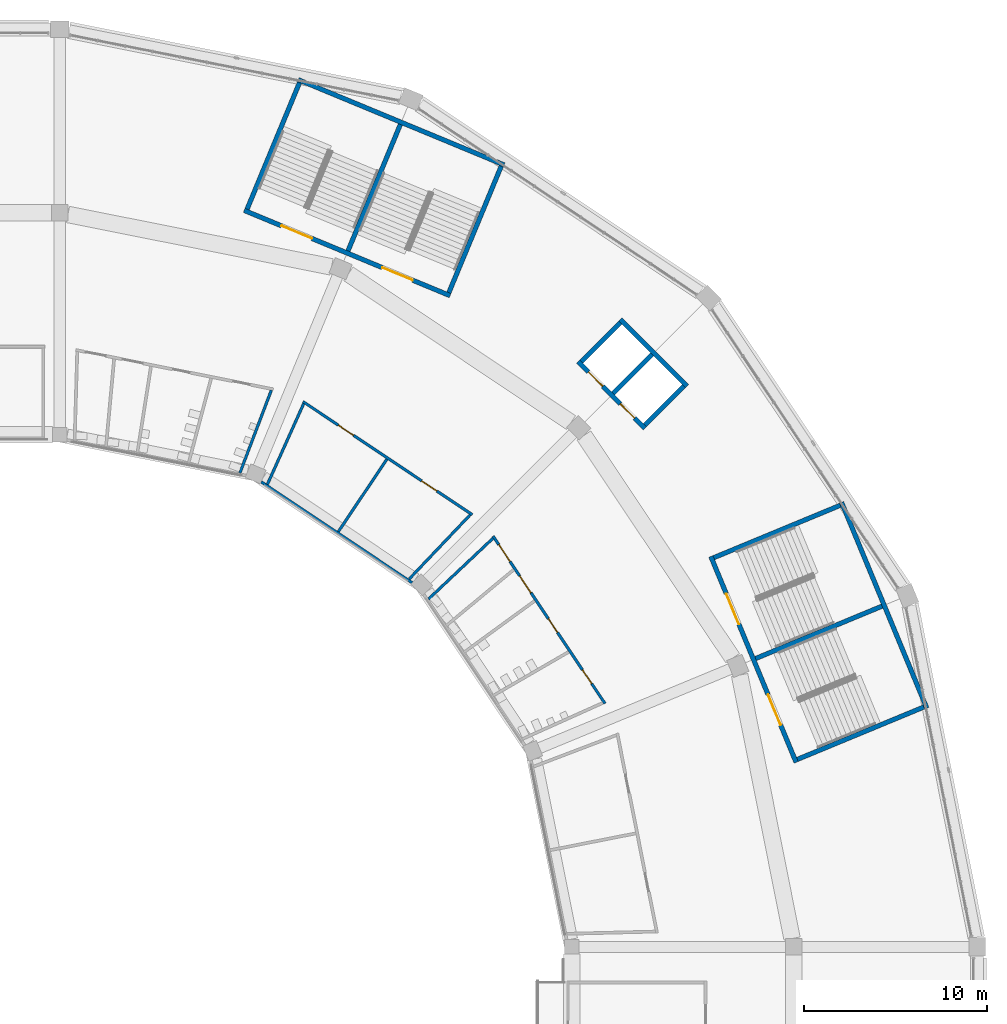
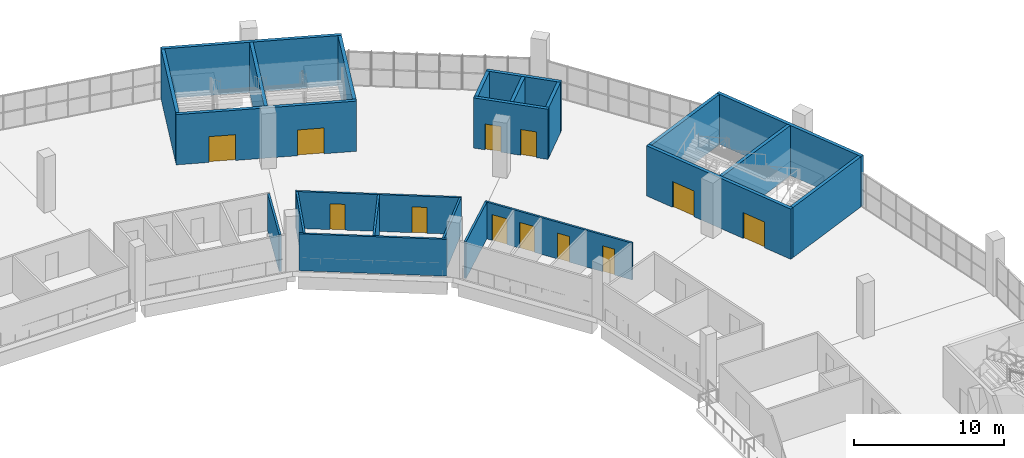
# One storey, part 87 of 199: 23 walls, 12 doors, 12 openings.
"""IFC4 building model written with IfcOpenShell, lengths in metres."""

from ifc_helpers import new_model, si_unit, direction, frame, frame_2d, origin, place, context, subcontext, project, spatial, rectangle, extrude, material, layer, layer_set, type_object, element, fill, save


model = new_model("IFC4")

# Units and contexts
model_context = context("Model", 3, precision=1e-05, world=origin(), true_north=direction((0.0, 1.0)))
body_context = subcontext(model_context, "Body", "Model", "MODEL_VIEW")
ifc_project = project(units=[si_unit("LENGTHUNIT", "METRE"), si_unit("AREAUNIT", "SQUARE_METRE"), si_unit("VOLUMEUNIT", "CUBIC_METRE"), si_unit("PLANEANGLEUNIT", "RADIAN"), si_unit("MASSUNIT", "GRAM", prefix="KILO")], contexts=[model_context])

# Site, building, storey
site_placement = place(None, origin())
site = spatial("IfcSite", under=ifc_project, at=site_placement, CompositionType="ELEMENT")
building_placement = place(site_placement, origin())
building = spatial("IfcBuilding", under=site, at=building_placement, Name="Ogive Plaza Stadium", CompositionType="ELEMENT")
storey_placement = place(building_placement, frame((0.0, 0.0, 9.0)))
storey = spatial("IfcBuildingStorey", under=building, at=storey_placement, Name="L02", CompositionType="ELEMENT", Elevation=9.0)

# Wall
ifc_material_1 = material(Name="Masonry blockwork", Category="masonry")
ifc_layer_1 = layer(ifc_material_1, 0.14990234375)
ifc_layer_set_1 = layer_set([ifc_layer_1], Name="Blockwork wall 150")
wall_type_1 = type_object("IfcWallType", Name="Blockwork wall 150", PredefinedType="SOLIDWALL", material=ifc_layer_set_1)
wall_1_placement = place(storey_placement, frame((44.98193359375, 77.836669921875, 0.0), z_axis=(0.0, 0.0, 1.0), x_axis=(0.831461186136, -0.555582843463, 0.0)))
element("IfcWall", 1, at=wall_1_placement, inside=storey, type_object=wall_type_1, Name="Wall L02 B38", PredefinedType="SOLIDWALL", context=body_context, shape_type="SweptSolid", body=[
    extrude(rectangle(XDim=9.890380859375, YDim=0.14990234375, at=frame_2d((4.9453125, 0.0))), origin(), (0.0, 0.0, 1.0), 3.0),
])

# Wall, openings, doors
wall_2_placement = place(storey_placement, frame((47.256591796875, 82.214599609375, 0.0), z_axis=(0.0, 0.0, 1.0), x_axis=(0.831471162003, -0.555567913722, 0.0)))
wall_2 = element("IfcWall", 2, at=wall_2_placement, inside=storey, type_object=wall_type_1, Name="Wall L02 B38", PredefinedType="SOLIDWALL", context=body_context, shape_type="SweptSolid", body=[
    extrude(rectangle(XDim=11.09912109375, YDim=0.14990234375, at=frame_2d((5.549560546875, 0.0))), origin(), (0.0, 0.0, 1.0), 3.0),
])
opening_1_placement = place(wall_2_placement, frame((2.3154296875, 0.0, 0.0)))
opening_1 = element("IfcOpeningElement", 3, at=opening_1_placement, cuts=wall_2, Name="Opening D0741", PredefinedType="OPENING", context=body_context, shape_type="SweptSolid", body=[
    extrude(rectangle(XDim=1.0, YDim=2.10009765625, at=frame_2d((0.5, 1.050048828125))), frame((0.0, 0.074951171875, 0.0), z_axis=(0.0, -1.0, 0.0), x_axis=(1.0, 0.0, 0.0)), (0.0, 0.0, 1.0), 0.14990234375),
])
opening_2_placement = place(wall_2_placement, frame((7.78369140625, 0.0, 0.0)))
opening_2 = element("IfcOpeningElement", 4, at=opening_2_placement, cuts=wall_2, Name="Opening D0742", PredefinedType="OPENING", context=body_context, shape_type="SweptSolid", body=[
    extrude(rectangle(XDim=1.0, YDim=2.10009765625, at=frame_2d((0.5, 1.050048828125))), frame((0.0, 0.074951171875, 0.0), z_axis=(0.0, -1.0, 0.0), x_axis=(1.0, 0.0, 0.0)), (0.0, 0.0, 1.0), 0.14990234375),
])
ifc_material_2 = material(Name="Steel ASTM A572 Grade 50", Category="steel")
door_type_1 = type_object("IfcDoorType", Name="Fire door FD60 1000 x 2100", OperationType="SINGLE_SWING_LEFT", PredefinedType="DOOR", material=ifc_material_2)
door_1_placement = place(opening_1_placement, origin())
door_1 = element("IfcDoor", 5, at=door_1_placement, inside=storey, type_object=door_type_1, Name="Hospitality Pantry B38 door", OperationType="SINGLE_SWING_LEFT", OverallHeight=2.10009765625, OverallWidth=1.0, PredefinedType="DOOR", context=body_context, shape_type="SweptSolid", body=[
    extrude(rectangle(XDim=1.0, YDim=2.10009765625, at=frame_2d((0.5, 1.050048828125))), frame((0.0, 0.02490234375, 0.0), z_axis=(0.0, -1.0, 0.0), x_axis=(1.0, 0.0, 0.0)), (0.0, 0.0, 1.0), 0.050048828125),
])
fill(opening_1, door_1)
door_2_placement = place(opening_2_placement, origin())
door_2 = element("IfcDoor", 6, at=door_2_placement, inside=storey, type_object=door_type_1, Name="Hospitality Store B38 door", OperationType="SINGLE_SWING_RIGHT", OverallHeight=2.10009765625, OverallWidth=1.0, PredefinedType="DOOR", context=body_context, shape_type="SweptSolid", body=[
    extrude(rectangle(XDim=1.0, YDim=2.10009765625, at=frame_2d((0.5, 1.050048828125))), frame((0.0, 0.02490234375, 0.0), z_axis=(0.0, -1.0, 0.0), x_axis=(1.0, 0.0, 0.0)), (0.0, 0.0, 1.0), 0.050048828125),
])
fill(opening_2, door_2)

# Walls
wall_3_placement = place(storey_placement, frame((45.3173828125, 77.700927734375, 0.0), z_axis=(0.0, 0.0, 1.0), x_axis=(0.409657452305, 0.912239426779, 0.0)))
element("IfcWall", 7, at=wall_3_placement, inside=storey, type_object=wall_type_1, Name="Wall L02 B38", PredefinedType="SOLIDWALL", context=body_context, shape_type="SweptSolid", body=[
    extrude(rectangle(XDim=4.82373046875, YDim=0.14990234375, at=frame_2d((2.411865234375, 0.0))), origin(), (0.0, 0.0, 1.0), 3.0),
])
wall_4_placement = place(storey_placement, frame((49.17919921875, 75.120361328125, 0.0), z_axis=(0.0, 0.0, 1.0), x_axis=(0.557220399255, 0.830364634756, 0.0)))
element("IfcWall", 8, at=wall_4_placement, inside=storey, type_object=wall_type_1, Name="Wall L02 B38", PredefinedType="SOLIDWALL", context=body_context, shape_type="SweptSolid", body=[
    extrude(rectangle(XDim=4.7568359375, YDim=0.14990234375, at=frame_2d((2.37841796875, 0.0))), origin(), (0.0, 0.0, 1.0), 3.0),
])
wall_5_placement = place(storey_placement, frame((53.041259765625, 72.5400390625, 0.0), z_axis=(0.0, 0.0, 1.0), x_axis=(0.688819908774, 0.724932502566, 0.0)))
element("IfcWall", 9, at=wall_5_placement, inside=storey, type_object=wall_type_1, Name="Wall L02 B38", PredefinedType="SOLIDWALL", context=body_context, shape_type="SweptSolid", body=[
    extrude(rectangle(XDim=4.826904296875, YDim=0.14990234375, at=frame_2d((2.41357421875, 0.0))), origin(), (0.0, 0.0, 1.0), 3.0),
])

# Wall, openings, doors
ifc_material_3 = material(Name="Concrete C40/50", Category="concrete")
ifc_layer_2 = layer(ifc_material_3, 0.25)
ifc_layer_set_2 = layer_set([ifc_layer_2], Name="Concrete C40/50")
wall_type_2 = type_object("IfcWallType", Name="Core wall 250", PredefinedType="SHEAR", material=ifc_layer_set_2)
wall_6_placement = place(storey_placement, frame((55.27392578125, 87.98486328125, 0.0), z_axis=(0.0, 0.0, 1.0), x_axis=(-0.923877480578, 0.382688386133, 0.0)))
wall_6 = element("IfcWall", 10, at=wall_6_placement, inside=storey, type_object=wall_type_2, Name="Stair core R38 inner wall", PredefinedType="SHEAR", context=body_context, shape_type="SweptSolid", body=[
    extrude(rectangle(XDim=12.14990234375, YDim=0.25, at=frame_2d((6.074951171875, 0.0))), origin(), (0.0, 0.0, 1.0), 4.090087890625),
])
opening_3_placement = place(wall_6_placement, frame((2.199951171875, 0.0, 0.0)))
opening_3 = element("IfcOpeningElement", 11, at=opening_3_placement, cuts=wall_6, Name="Opening D0277", PredefinedType="OPENING", context=body_context, shape_type="SweptSolid", body=[
    extrude(rectangle(XDim=1.800048828125, YDim=2.10009765625, at=frame_2d((0.89990234375, 1.050048828125))), frame((0.0, 0.125, 0.0), z_axis=(0.0, -1.0, 0.0), x_axis=(1.0, 0.0, 0.0)), (0.0, 0.0, 1.0), 0.25),
])
opening_4_placement = place(wall_6_placement, frame((8.14990234375, 0.0, 0.0)))
opening_4 = element("IfcOpeningElement", 12, at=opening_4_placement, cuts=wall_6, Name="Opening D0278", PredefinedType="OPENING", context=body_context, shape_type="SweptSolid", body=[
    extrude(rectangle(XDim=1.800048828125, YDim=2.10009765625, at=frame_2d((0.89990234375, 1.050048828125))), frame((0.0, 0.125, 0.0), z_axis=(0.0, -1.0, 0.0), x_axis=(1.0, 0.0, 0.0)), (0.0, 0.0, 1.0), 0.25),
])
ifc_material_4 = material(Name="Steel ASTM A572 Grade 50", Category="steel")
door_type_2 = type_object("IfcDoorType", Name="Fire door FD90 pair 1800 x 2100", OperationType="DOUBLE_DOOR_SINGLE_SWING", PredefinedType="DOOR", material=ifc_material_4)
door_3_placement = place(opening_3_placement, origin())
door_3 = element("IfcDoor", 13, at=door_3_placement, inside=storey, type_object=door_type_2, Name="Exit stair R38A door L02", OperationType="DOUBLE_DOOR_SINGLE_SWING", OverallHeight=2.10009765625, OverallWidth=1.800048828125, PredefinedType="DOOR", context=body_context, shape_type="SweptSolid", body=[
    extrude(rectangle(XDim=1.800048828125, YDim=2.10009765625, at=frame_2d((0.89990234375, 1.050048828125))), frame((0.0, 0.02490234375, 0.0), z_axis=(0.0, -1.0, 0.0), x_axis=(1.0, 0.0, 0.0)), (0.0, 0.0, 1.0), 0.050048828125),
])
fill(opening_3, door_3)
door_4_placement = place(opening_4_placement, origin())
door_4 = element("IfcDoor", 14, at=door_4_placement, inside=storey, type_object=door_type_2, Name="Exit stair R38B door L02", OperationType="DOUBLE_DOOR_SINGLE_SWING", OverallHeight=2.10009765625, OverallWidth=1.800048828125, PredefinedType="DOOR", context=body_context, shape_type="SweptSolid", body=[
    extrude(rectangle(XDim=1.800048828125, YDim=2.10009765625, at=frame_2d((0.89990234375, 1.050048828125))), frame((0.0, 0.02490234375, 0.0), z_axis=(0.0, -1.0, 0.0), x_axis=(1.0, 0.0, 0.0)), (0.0, 0.0, 1.0), 0.050048828125),
])
fill(opening_4, door_4)

# Walls
wall_7_placement = place(storey_placement, frame((58.224365234375, 95.108154296875, 0.0), z_axis=(0.0, 0.0, 1.0), x_axis=(-0.923884584817, 0.382671234792, 0.0)))
element("IfcWall", 15, at=wall_7_placement, inside=storey, type_object=wall_type_2, Name="Stair core R38 outer wall", PredefinedType="SHEAR", context=body_context, shape_type="SweptSolid", body=[
    extrude(rectangle(XDim=12.14990234375, YDim=0.25, at=frame_2d((6.074951171875, 0.0))), origin(), (0.0, 0.0, 1.0), 4.090087890625),
])
for number, where, z_axis, x_axis, name in (
    (16, (55.206298828125, 88.148193359375, 0.0), (0.0, 0.0, 1.0), (0.382664910245, 0.923887204407, 0.0), "Stair core R38 side wall"),
    (17, (44.212158203125, 92.7021484375, 0.0), (0.0, 0.0, 1.0), (0.382664910245, 0.923887204407, 0.0), "Stair core R38 side wall"),
):
    element("IfcWall", number, at=place(storey_placement, frame(where, z_axis=z_axis, x_axis=x_axis)), inside=storey, type_object=wall_type_2, Name=name, PredefinedType="SHEAR", context=body_context, shape_type="SweptSolid", body=[
        extrude(rectangle(XDim=7.460205078125, YDim=0.25, at=frame_2d((3.72998046875, 0.0))), origin(), (0.0, 0.0, 1.0), 4.090087890625),
    ])
wall_8_placement = place(storey_placement, frame((49.709228515625, 90.42529296875, 0.0), z_axis=(0.0, 0.0, 1.0), x_axis=(0.382676480483, 0.923882412044, 0.0)))
element("IfcWall", 18, at=wall_8_placement, inside=storey, type_object=wall_type_2, Name="Stair core R38 centre wall", PredefinedType="SHEAR", context=body_context, shape_type="SweptSolid", body=[
    extrude(rectangle(XDim=7.4599609375, YDim=0.25, at=frame_2d((3.72998046875, 0.0))), origin(), (0.0, 0.0, 1.0), 4.090087890625),
])

# Wall, openings, doors
wall_9_placement = place(storey_placement, frame((74.134521484375, 62.548828125, 0.0), z_axis=(0.0, 0.0, 1.0), x_axis=(-0.382688386133, 0.923877480578, 0.0)))
wall_9 = element("IfcWall", 19, at=wall_9_placement, inside=storey, type_object=wall_type_2, Name="Stair core R40 inner wall", PredefinedType="SHEAR", context=body_context, shape_type="SweptSolid", body=[
    extrude(rectangle(XDim=12.14990234375, YDim=0.25, at=frame_2d((6.074951171875, 0.0))), origin(), (0.0, 0.0, 1.0), 4.090087890625),
])
opening_5_placement = place(wall_9_placement, frame((2.199951171875, 0.0, 0.0)))
opening_5 = element("IfcOpeningElement", 20, at=opening_5_placement, cuts=wall_9, Name="Opening D0289", PredefinedType="OPENING", context=body_context, shape_type="SweptSolid", body=[
    extrude(rectangle(XDim=1.800048828125, YDim=2.10009765625, at=frame_2d((0.89990234375, 1.050048828125))), frame((0.0, 0.125, 0.0), z_axis=(0.0, -1.0, 0.0), x_axis=(1.0, 0.0, 0.0)), (0.0, 0.0, 1.0), 0.25),
])
opening_6_placement = place(wall_9_placement, frame((8.14990234375, 0.0, 0.0)))
opening_6 = element("IfcOpeningElement", 21, at=opening_6_placement, cuts=wall_9, Name="Opening D0290", PredefinedType="OPENING", context=body_context, shape_type="SweptSolid", body=[
    extrude(rectangle(XDim=1.800048828125, YDim=2.10009765625, at=frame_2d((0.89990234375, 1.050048828125))), frame((0.0, 0.125, 0.0), z_axis=(0.0, -1.0, 0.0), x_axis=(1.0, 0.0, 0.0)), (0.0, 0.0, 1.0), 0.25),
])
door_5_placement = place(opening_5_placement, origin())
door_5 = element("IfcDoor", 22, at=door_5_placement, inside=storey, type_object=door_type_2, Name="Exit stair R40A door L02", OperationType="DOUBLE_DOOR_SINGLE_SWING", OverallHeight=2.10009765625, OverallWidth=1.800048828125, PredefinedType="DOOR", context=body_context, shape_type="SweptSolid", body=[
    extrude(rectangle(XDim=1.800048828125, YDim=2.10009765625, at=frame_2d((0.89990234375, 1.050048828125))), frame((0.0, 0.02490234375, 0.0), z_axis=(0.0, -1.0, 0.0), x_axis=(1.0, 0.0, 0.0)), (0.0, 0.0, 1.0), 0.050048828125),
])
fill(opening_5, door_5)
door_6_placement = place(opening_6_placement, origin())
door_6 = element("IfcDoor", 23, at=door_6_placement, inside=storey, type_object=door_type_2, Name="Exit stair R40B door L02", OperationType="DOUBLE_DOOR_SINGLE_SWING", OverallHeight=2.10009765625, OverallWidth=1.800048828125, PredefinedType="DOOR", context=body_context, shape_type="SweptSolid", body=[
    extrude(rectangle(XDim=1.800048828125, YDim=2.10009765625, at=frame_2d((0.89990234375, 1.050048828125))), frame((0.0, 0.02490234375, 0.0), z_axis=(0.0, -1.0, 0.0), x_axis=(1.0, 0.0, 0.0)), (0.0, 0.0, 1.0), 0.050048828125),
])
fill(opening_6, door_6)

# Walls
wall_10_placement = place(storey_placement, frame((81.257568359375, 65.499267578125, 0.0), z_axis=(0.0, 0.0, 1.0), x_axis=(-0.382671234792, 0.923884584817, 0.0)))
element("IfcWall", 24, at=wall_10_placement, inside=storey, type_object=wall_type_2, Name="Stair core R40 outer wall", PredefinedType="SHEAR", context=body_context, shape_type="SweptSolid", body=[
    extrude(rectangle(XDim=12.14990234375, YDim=0.25, at=frame_2d((6.074951171875, 0.0))), origin(), (0.0, 0.0, 1.0), 4.090087890625),
])
for number, where, z_axis, x_axis, name in (
    (25, (74.2021484375, 62.712158203125, 0.0), (0.0, 0.0, 1.0), (0.923887204407, 0.382664910245, 0.0), "Stair core R40 side wall"),
    (26, (69.648193359375, 73.706298828125, 0.0), (0.0, 0.0, 1.0), (0.923887204407, 0.382664910245, 0.0), "Stair core R40 side wall"),
):
    element("IfcWall", number, at=place(storey_placement, frame(where, z_axis=z_axis, x_axis=x_axis)), inside=storey, type_object=wall_type_2, Name=name, PredefinedType="SHEAR", context=body_context, shape_type="SweptSolid", body=[
        extrude(rectangle(XDim=7.460205078125, YDim=0.25, at=frame_2d((3.72998046875, 0.0))), origin(), (0.0, 0.0, 1.0), 4.090087890625),
    ])
wall_11_placement = place(storey_placement, frame((71.92529296875, 68.209228515625, 0.0), z_axis=(0.0, 0.0, 1.0), x_axis=(0.923882412044, 0.382676480483, 0.0)))
element("IfcWall", 27, at=wall_11_placement, inside=storey, type_object=wall_type_2, Name="Stair core R40 centre wall", PredefinedType="SHEAR", context=body_context, shape_type="SweptSolid", body=[
    extrude(rectangle(XDim=7.4599609375, YDim=0.25, at=frame_2d((3.72998046875, 0.0))), origin(), (0.0, 0.0, 1.0), 4.090087890625),
])

# Wall, openings, doors
wall_12_placement = place(storey_placement, frame((65.890625, 80.7490234375, 0.0), z_axis=(0.0, 0.0, 1.0), x_axis=(-0.707106781187, 0.707106781187, 0.0)))
wall_12 = element("IfcWall", 28, at=wall_12_placement, inside=storey, type_object=wall_type_2, Name="Lift core LP39 landing wall", PredefinedType="SHEAR", context=body_context, shape_type="SweptSolid", body=[
    extrude(rectangle(XDim=5.14990234375, YDim=0.25, at=frame_2d((2.574951171875, 0.0))), origin(), (0.0, 0.0, 1.0), 4.090087890625),
])
opening_7_placement = place(wall_12_placement, frame((0.800048828125, 0.0, 0.0)))
opening_7 = element("IfcOpeningElement", 29, at=opening_7_placement, cuts=wall_12, Name="Opening LD097", PredefinedType="OPENING", context=body_context, shape_type="SweptSolid", body=[
    extrude(rectangle(XDim=1.10009765625, YDim=2.10009765625, at=frame_2d((0.550048828125, 1.050048828125))), frame((0.0, 0.125, 0.0), z_axis=(0.0, -1.0, 0.0), x_axis=(1.0, 0.0, 0.0)), (0.0, 0.0, 1.0), 0.25),
])
opening_8_placement = place(wall_12_placement, frame((3.25, 0.0, 0.0)))
opening_8 = element("IfcOpeningElement", 30, at=opening_8_placement, cuts=wall_12, Name="Opening LD098", PredefinedType="OPENING", context=body_context, shape_type="SweptSolid", body=[
    extrude(rectangle(XDim=1.10009765625, YDim=2.10009765625, at=frame_2d((0.550048828125, 1.050048828125))), frame((0.0, 0.125, 0.0), z_axis=(0.0, -1.0, 0.0), x_axis=(1.0, 0.0, 0.0)), (0.0, 0.0, 1.0), 0.25),
])
ifc_material_5 = material(Name="Steel ASTM A572 Grade 50", Category="steel")
door_type_3 = type_object("IfcDoorType", Name="Landing door 1100 x 2100", OperationType="SLIDING_TO_LEFT", PredefinedType="DOOR", material=ifc_material_5)
door_7_placement = place(opening_7_placement, origin())
door_7 = element("IfcDoor", 31, at=door_7_placement, inside=storey, type_object=door_type_3, Name="Lift landing door LP39 L02", OperationType="SLIDING_TO_LEFT", OverallHeight=2.10009765625, OverallWidth=1.10009765625, PredefinedType="DOOR", context=body_context, shape_type="SweptSolid", body=[
    extrude(rectangle(XDim=1.10009765625, YDim=2.10009765625, at=frame_2d((0.550048828125, 1.050048828125))), frame((0.0, 0.02490234375, 0.0), z_axis=(0.0, -1.0, 0.0), x_axis=(1.0, 0.0, 0.0)), (0.0, 0.0, 1.0), 0.050048828125),
])
fill(opening_7, door_7)
door_8_placement = place(opening_8_placement, origin())
door_8 = element("IfcDoor", 32, at=door_8_placement, inside=storey, type_object=door_type_3, Name="Lift landing door LP39 L02", OperationType="SLIDING_TO_LEFT", OverallHeight=2.10009765625, OverallWidth=1.10009765625, PredefinedType="DOOR", context=body_context, shape_type="SweptSolid", body=[
    extrude(rectangle(XDim=1.10009765625, YDim=2.10009765625, at=frame_2d((0.550048828125, 1.050048828125))), frame((0.0, 0.02490234375, 0.0), z_axis=(0.0, -1.0, 0.0), x_axis=(1.0, 0.0, 0.0)), (0.0, 0.0, 1.0), 0.050048828125),
])
fill(opening_8, door_8)

# Walls
wall_13_placement = place(storey_placement, frame((68.188720703125, 83.047119140625, 0.0), z_axis=(0.0, 0.0, 1.0), x_axis=(-0.707106781187, 0.707106781187, 0.0)))
element("IfcWall", 33, at=wall_13_placement, inside=storey, type_object=wall_type_2, Name="Lift core LP39 rear wall", PredefinedType="SHEAR", context=body_context, shape_type="SweptSolid", body=[
    extrude(rectangle(XDim=5.14990234375, YDim=0.25, at=frame_2d((2.574951171875, 0.0))), origin(), (0.0, 0.0, 1.0), 4.090087890625),
])
for number, where, z_axis, x_axis, name in (
    (34, (65.890625, 80.92578125, 0.0), (0.0, 0.0, 1.0), (0.707066087907, 0.707147472125, 0.0), "Lift core LP39 side wall"),
    (35, (62.42578125, 84.390625, 0.0), (0.0, 0.0, 1.0), (0.707147472125, 0.707066087907, 0.0), "Lift core LP39 side wall"),
):
    element("IfcWall", number, at=place(storey_placement, frame(where, z_axis=z_axis, x_axis=x_axis)), inside=storey, type_object=wall_type_2, Name=name, PredefinedType="SHEAR", context=body_context, shape_type="SweptSolid", body=[
        extrude(rectangle(XDim=2.999755859375, YDim=0.25, at=frame_2d((1.5, 0.0))), origin(), (0.0, 0.0, 1.0), 4.090087890625),
    ])
wall_14_placement = place(storey_placement, frame((64.158203125, 82.658203125, 0.0), z_axis=(0.0, 0.0, 1.0), x_axis=(0.707106781187, 0.707106781187, 0.0)))
element("IfcWall", 36, at=wall_14_placement, inside=storey, type_object=wall_type_2, Name="Lift core LP39 centre wall", PredefinedType="SHEAR", context=body_context, shape_type="SweptSolid", body=[
    extrude(rectangle(XDim=3.0, YDim=0.25, at=frame_2d((1.5, 0.0))), origin(), (0.0, 0.0, 1.0), 4.090087890625),
])
ifc_material_6 = material(Name="Gypsum board partition", Category="gypsum")
ifc_layer_3 = layer(ifc_material_6, 0.14990234375)
ifc_layer_set_3 = layer_set([ifc_layer_3], Name="Partition 150")
wall_type_3 = type_object("IfcWallType", Name="Partition 150", PredefinedType="PARTITIONING", material=ifc_layer_set_3)
wall_15_placement = place(storey_placement, frame((43.817138671875, 78.322265625, 0.0), z_axis=(0.0, 0.0, 1.0), x_axis=(0.35538492255, 0.934720041951, 0.0)))
element("IfcWall", 37, at=wall_15_placement, inside=storey, type_object=wall_type_3, Name="Wall L02 B37", PredefinedType="PARTITIONING", context=body_context, shape_type="SweptSolid", body=[
    extrude(rectangle(XDim=4.823974609375, YDim=0.14990234375, at=frame_2d((2.412109375, 0.0))), origin(), (0.0, 0.0, 1.0), 3.0),
])

# Wall, openings, doors
wall_16_placement = place(storey_placement, frame((63.714599609375, 65.756591796875, 0.0), z_axis=(0.0, 0.0, 1.0), x_axis=(-0.555577934543, 0.831464466258, 0.0)))
wall_16 = element("IfcWall", 38, at=wall_16_placement, inside=storey, type_object=wall_type_3, Name="Wall L02 B39", PredefinedType="PARTITIONING", context=body_context, shape_type="SweptSolid", body=[
    extrude(rectangle(XDim=10.97216796875, YDim=0.14990234375, at=frame_2d((5.486083984375, 0.0))), origin(), (0.0, 0.0, 1.0), 3.0),
])
opening_9_placement = place(wall_16_placement, frame((1.306640625, 0.0, 0.0)))
opening_9 = element("IfcOpeningElement", 39, at=opening_9_placement, cuts=wall_16, Name="Opening D0743", PredefinedType="OPENING", context=body_context, shape_type="SweptSolid", body=[
    extrude(rectangle(XDim=0.89990234375, YDim=2.10009765625, at=frame_2d((0.449951171875, 1.050048828125))), frame((0.0, 0.074951171875, 0.0), z_axis=(0.0, -1.0, 0.0), x_axis=(1.0, 0.0, 0.0)), (0.0, 0.0, 1.0), 0.14990234375),
])
opening_10_placement = place(wall_16_placement, frame((4.65771484375, 0.0, 0.0)))
opening_10 = element("IfcOpeningElement", 40, at=opening_10_placement, cuts=wall_16, Name="Opening D0744", PredefinedType="OPENING", context=body_context, shape_type="SweptSolid", body=[
    extrude(rectangle(XDim=0.89990234375, YDim=2.10009765625, at=frame_2d((0.449951171875, 1.050048828125))), frame((0.0, 0.074951171875, 0.0), z_axis=(0.0, -1.0, 0.0), x_axis=(1.0, 0.0, 0.0)), (0.0, 0.0, 1.0), 0.14990234375),
])
opening_11_placement = place(wall_16_placement, frame((7.26025390625, 0.0, 0.0)))
opening_11 = element("IfcOpeningElement", 41, at=opening_11_placement, cuts=wall_16, Name="Opening D0745", PredefinedType="OPENING", context=body_context, shape_type="SweptSolid", body=[
    extrude(rectangle(XDim=1.10009765625, YDim=2.10009765625, at=frame_2d((0.550048828125, 1.050048828125))), frame((0.0, 0.074951171875, 0.0), z_axis=(0.0, -1.0, 0.0), x_axis=(1.0, 0.0, 0.0)), (0.0, 0.0, 1.0), 0.14990234375),
])
opening_12_placement = place(wall_16_placement, frame((9.314208984375, 0.0, 0.0)))
opening_12 = element("IfcOpeningElement", 42, at=opening_12_placement, cuts=wall_16, Name="Opening D0746", PredefinedType="OPENING", context=body_context, shape_type="SweptSolid", body=[
    extrude(rectangle(XDim=1.10009765625, YDim=2.10009765625, at=frame_2d((0.550048828125, 1.050048828125))), frame((0.0, 0.074951171875, 0.0), z_axis=(0.0, -1.0, 0.0), x_axis=(1.0, 0.0, 0.0)), (0.0, 0.0, 1.0), 0.14990234375),
])
ifc_material_7 = material(Name="Steel ASTM A572 Grade 50", Category="steel")
door_type_4 = type_object("IfcDoorType", Name="Accessible door 1100 x 2100", OperationType="SINGLE_SWING_LEFT", PredefinedType="DOOR", material=ifc_material_7)
door_9_placement = place(opening_11_placement, origin())
door_9 = element("IfcDoor", 43, at=door_9_placement, inside=storey, type_object=door_type_4, Name="Accessible WC B39 door", OperationType="SINGLE_SWING_LEFT", OverallHeight=2.10009765625, OverallWidth=1.10009765625, PredefinedType="DOOR", context=body_context, shape_type="SweptSolid", body=[
    extrude(rectangle(XDim=1.10009765625, YDim=2.10009765625, at=frame_2d((0.550048828125, 1.050048828125))), frame((0.0, 0.02490234375, 0.0), z_axis=(0.0, -1.0, 0.0), x_axis=(1.0, 0.0, 0.0)), (0.0, 0.0, 1.0), 0.050048828125),
])
fill(opening_11, door_9)
door_10_placement = place(opening_12_placement, origin())
door_10 = element("IfcDoor", 44, at=door_10_placement, inside=storey, type_object=door_type_4, Name="Family WC B39 door", OperationType="SINGLE_SWING_LEFT", OverallHeight=2.10009765625, OverallWidth=1.10009765625, PredefinedType="DOOR", context=body_context, shape_type="SweptSolid", body=[
    extrude(rectangle(XDim=1.10009765625, YDim=2.10009765625, at=frame_2d((0.550048828125, 1.050048828125))), frame((0.0, 0.02490234375, 0.0), z_axis=(0.0, -1.0, 0.0), x_axis=(1.0, 0.0, 0.0)), (0.0, 0.0, 1.0), 0.050048828125),
])
fill(opening_12, door_10)
ifc_material_8 = material(Name="Steel ASTM A572 Grade 50", Category="steel")
door_type_5 = type_object("IfcDoorType", Name="Door 900 x 2100", OperationType="SINGLE_SWING_LEFT", PredefinedType="DOOR", material=ifc_material_8)
door_11_placement = place(opening_9_placement, origin())
door_11 = element("IfcDoor", 45, at=door_11_placement, inside=storey, type_object=door_type_5, Name="Men's Toilet B39 door", OperationType="SINGLE_SWING_RIGHT", OverallHeight=2.10009765625, OverallWidth=0.89990234375, PredefinedType="DOOR", context=body_context, shape_type="SweptSolid", body=[
    extrude(rectangle(XDim=0.89990234375, YDim=2.10009765625, at=frame_2d((0.449951171875, 1.050048828125))), frame((0.0, 0.02490234375, 0.0), z_axis=(0.0, -1.0, 0.0), x_axis=(1.0, 0.0, 0.0)), (0.0, 0.0, 1.0), 0.050048828125),
])
fill(opening_9, door_11)
door_12_placement = place(opening_10_placement, origin())
door_12 = element("IfcDoor", 46, at=door_12_placement, inside=storey, type_object=door_type_5, Name="Women's Toilet B39 door", OperationType="SINGLE_SWING_RIGHT", OverallHeight=2.10009765625, OverallWidth=0.89990234375, PredefinedType="DOOR", context=body_context, shape_type="SweptSolid", body=[
    extrude(rectangle(XDim=0.89990234375, YDim=2.10009765625, at=frame_2d((0.449951171875, 1.050048828125))), frame((0.0, 0.02490234375, 0.0), z_axis=(0.0, -1.0, 0.0), x_axis=(1.0, 0.0, 0.0)), (0.0, 0.0, 1.0), 0.050048828125),
])
fill(opening_10, door_12)

# Wall
wall_17_placement = place(storey_placement, frame((54.099853515625, 71.45166015625, 0.0), z_axis=(0.0, 0.0, 1.0), x_axis=(0.727577136184, 0.686025882093, 0.0)))
element("IfcWall", 47, at=wall_17_placement, inside=storey, type_object=wall_type_3, Name="Wall L02 B39", PredefinedType="PARTITIONING", context=body_context, shape_type="SweptSolid", body=[
    extrude(rectangle(XDim=4.823974609375, YDim=0.14990234375, at=frame_2d((2.412109375, 0.0))), origin(), (0.0, 0.0, 1.0), 3.0),
])

save(model, "model.ifc")
